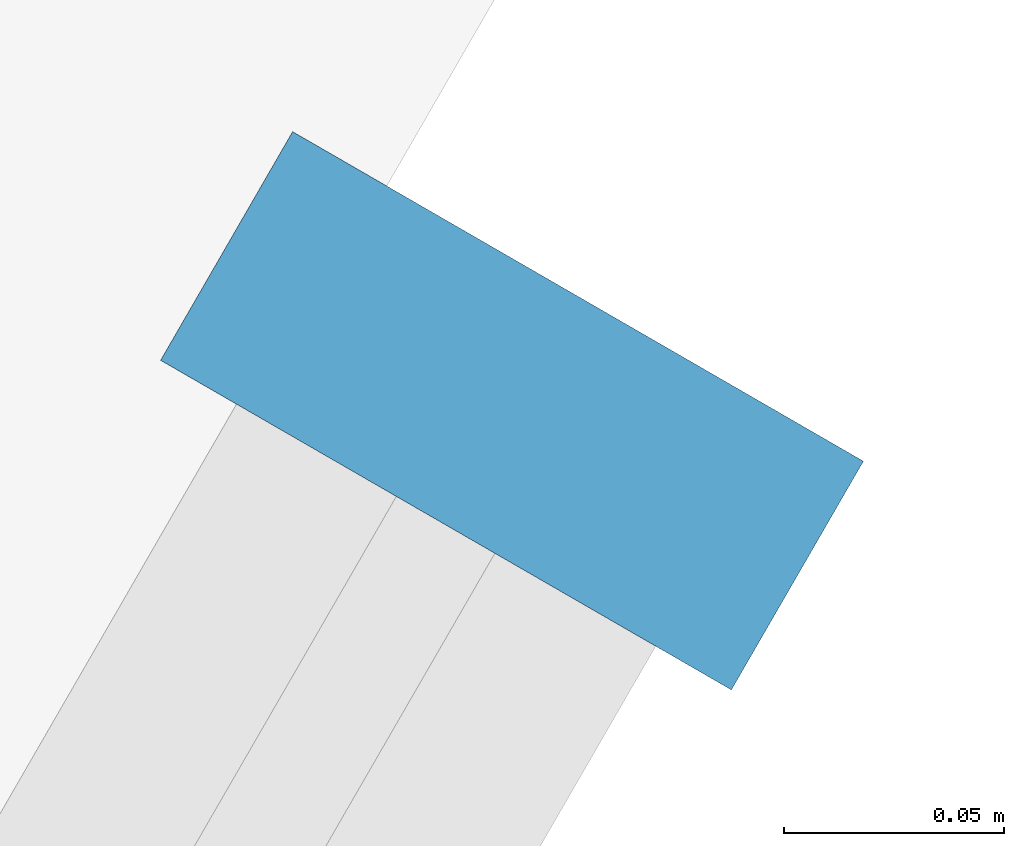
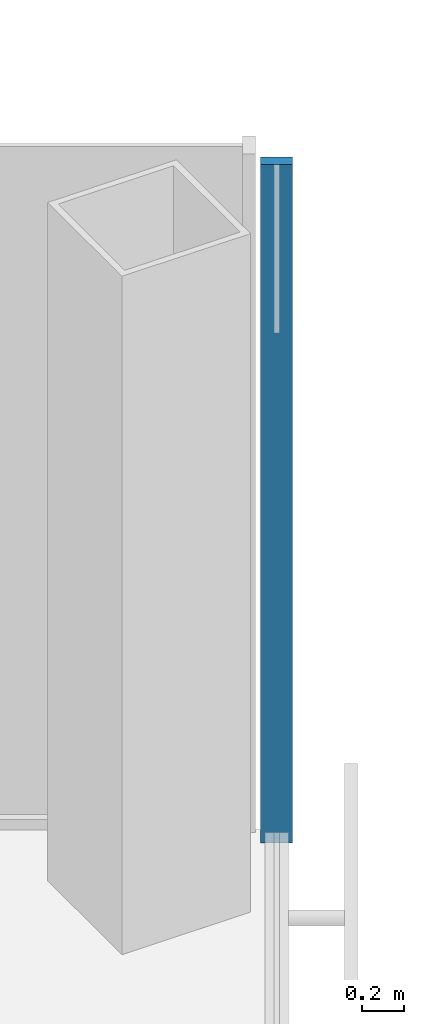
# One storey, part 9 of 18: 1 member, 1 element without a shape of its own.
"""IFC4 building model written with IfcOpenShell, lengths in metres."""

from ifc_helpers import new_model, si_unit, direction, frame, origin, origin_2d, place, context, subcontext, project, spatial, rectangle, extrude, material, material_profile, profile_set, type_object, element, aggregate, save


model = new_model("IFC4")

# Units and contexts
model_context = context("Model", 3, precision=1e-05, world=origin(), true_north=direction((0.0, 1.0)))
body_context = subcontext(model_context, "Body", "Model", "MODEL_VIEW")
ifc_project = project(units=[si_unit("LENGTHUNIT", "METRE"), si_unit("AREAUNIT", "SQUARE_METRE"), si_unit("VOLUMEUNIT", "CUBIC_METRE"), si_unit("PLANEANGLEUNIT", "RADIAN"), si_unit("MASSUNIT", "GRAM", prefix="KILO")], contexts=[model_context])

# Site, building, storey
site_placement = place(None, origin())
site = spatial("IfcSite", under=ifc_project, at=site_placement, CompositionType="ELEMENT")
building_placement = place(site_placement, origin())
building = spatial("IfcBuilding", under=site, at=building_placement, Name="Kasaneha Research Tower", CompositionType="ELEMENT")
storey_placement = place(building_placement, frame((0.0, 0.0, 179.89990234375)))
storey = spatial("IfcBuildingStorey", under=building, at=storey_placement, Name="L45", CompositionType="ELEMENT", Elevation=179.89990234375)

# Curtain wall, member
ifc_material_1 = material(Name="Glass and aluminium", Category="aluminium")
curtain_wall_type = type_object("IfcCurtainWallType", Name="Mid-rise office curtain wall", PredefinedType="USERDEFINED", material=ifc_material_1)
curtain_wall_placement = place(storey_placement, origin())
curtain_wall = element("IfcCurtainWall", 1, at=curtain_wall_placement, inside=storey, type_object=curtain_wall_type, Name="CW-O2 L45 run 04a", ObjectType="UNITISED CURTAIN WALL", PredefinedType="USERDEFINED")
ifc_material_2 = material(Name="Aluminium 6063-T6", Category="aluminium")
ifc_material_profile = material_profile(ifc_material_2, rectangle(XDim=0.06005859375, YDim=0.14990234375, at=origin_2d()), Name="CW-O2 mullion 60x150")
ifc_profile_set = profile_set([ifc_material_profile], Name="Aluminium 6063-T6")
member_type = type_object("IfcMemberType", Name="CW-O2 mullion", PredefinedType="MULLION", material=ifc_profile_set)
member_placement = place(storey_placement, frame((32.012939453125, -6.39306640625, 0.0), z_axis=(0.0, 0.0, 1.0), x_axis=(0.500000011442, 0.866025397178, 0.0)))
member = element("IfcMember", 2, at=member_placement, type_object=member_type, Name="CW-O2 mullion 4", PredefinedType="MULLION", context=body_context, shape_type="SweptSolid", body=[
    extrude(rectangle(XDim=0.06005859375, YDim=0.14990234375, at=origin_2d()), origin(), (0.0, 0.0, 1.0), 3.900146484375),
])
aggregate(curtain_wall, [member])

save(model, "model.ifc")
